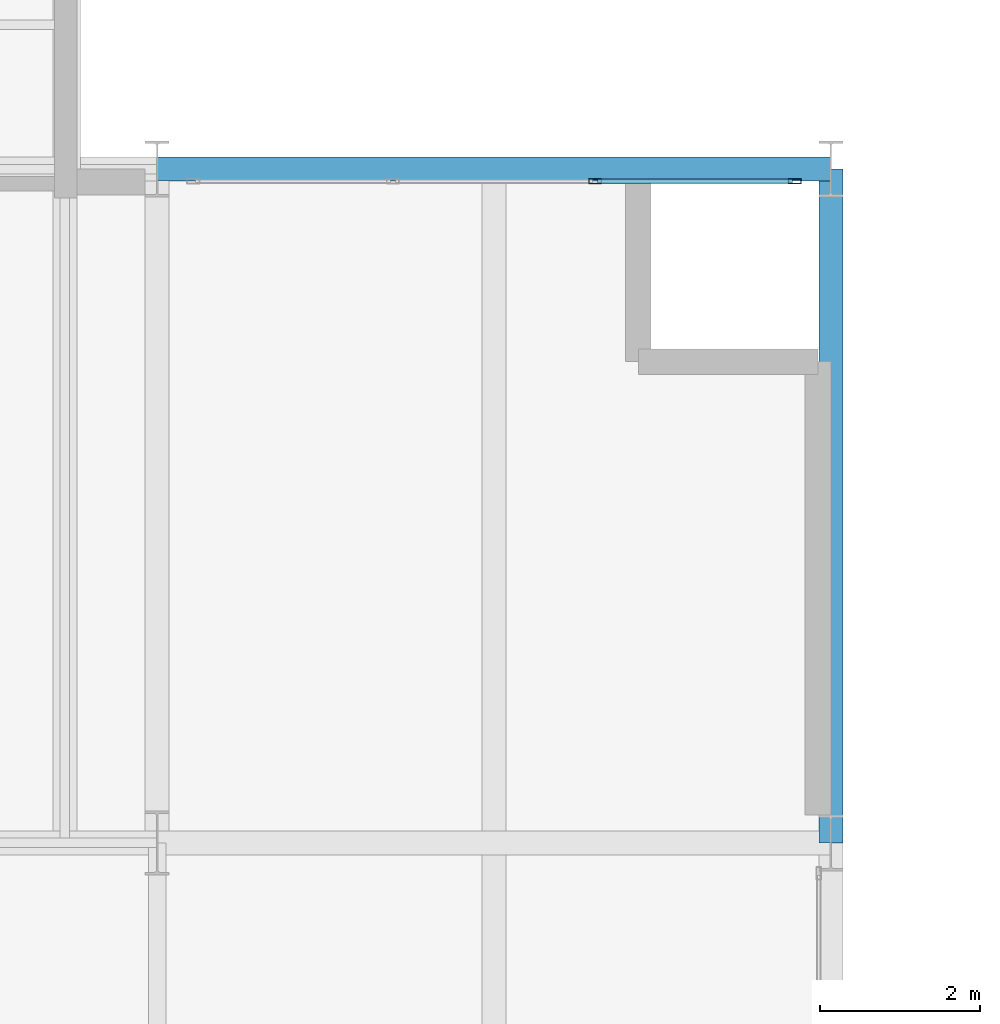
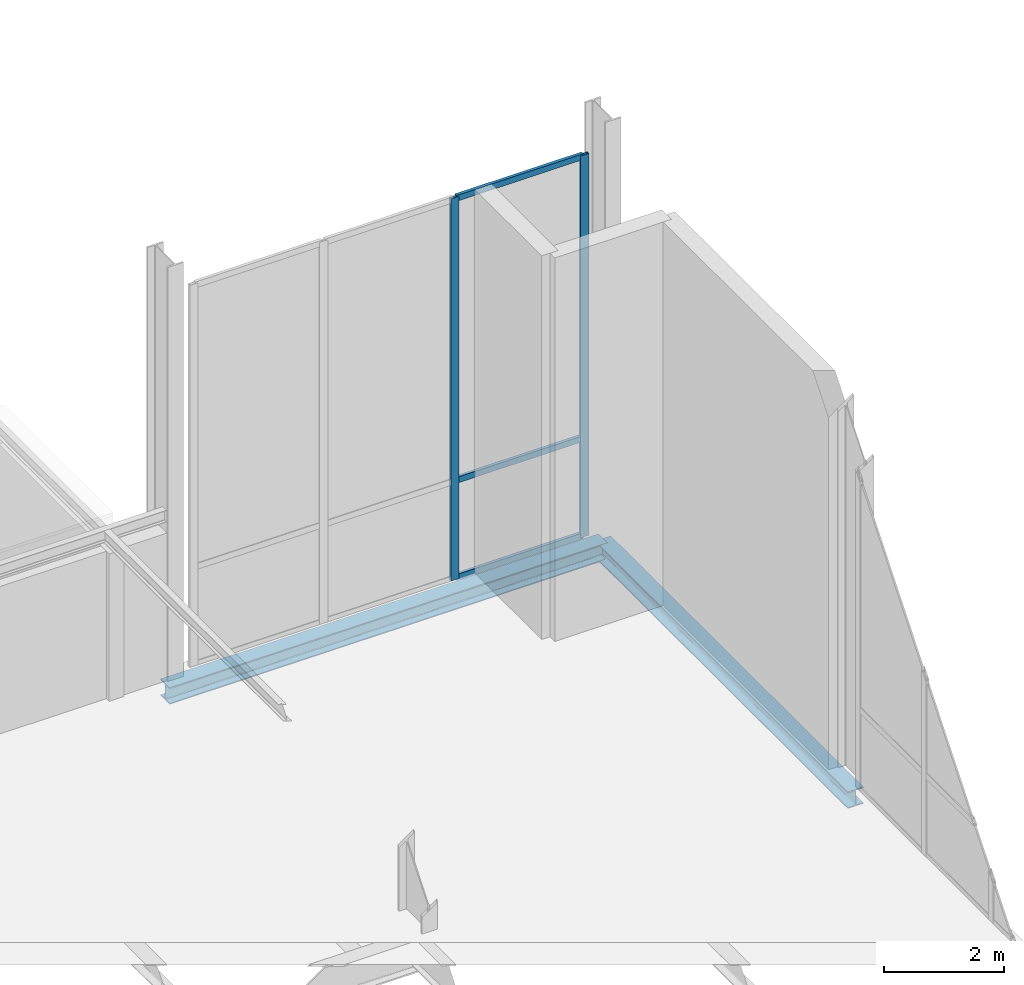
# One storey, part 81 of 131: 5 members, 2 beams, 1 element without a shape of its own.
"""IFC4 building model written with IfcOpenShell, lengths in metres."""

from ifc_helpers import new_model, si_unit, direction, frame, origin, origin_2d, place, context, subcontext, project, spatial, hollow_rectangle, i_section, extrude, material, material_profile, profile_set, type_object, element, aggregate, save


model = new_model("IFC4")

# Units and contexts
model_context = context("Model", 3, precision=1e-05, world=origin(), true_north=direction((0.0, 1.0)))
body_context = subcontext(model_context, "Body", "Model", "MODEL_VIEW")
ifc_project = project(units=[si_unit("LENGTHUNIT", "METRE"), si_unit("AREAUNIT", "SQUARE_METRE"), si_unit("VOLUMEUNIT", "CUBIC_METRE"), si_unit("PLANEANGLEUNIT", "RADIAN"), si_unit("MASSUNIT", "GRAM", prefix="KILO")], contexts=[model_context])

# Site, building, storey
site_placement = place(None, origin())
site = spatial("IfcSite", under=ifc_project, at=site_placement, CompositionType="ELEMENT")
building_placement = place(site_placement, origin())
building = spatial("IfcBuilding", under=site, at=building_placement, Name="Veltarok Museum of Natural Sciences", CompositionType="ELEMENT")
storey_placement = place(building_placement, origin())
storey = spatial("IfcBuildingStorey", under=building, at=storey_placement, Name="L00", CompositionType="ELEMENT", Elevation=0.0)

# Curtain wall, members
ifc_material_1 = material(Name="Low-iron triple insulated glass", Category="glass")
curtain_wall_type = type_object("IfcCurtainWallType", Name="Curtain Wall System CW-V2NP-L00-9-756x775 (North Pavilion L00 9-10 756x775cm)", PredefinedType="NOTDEFINED", material=ifc_material_1)
curtain_wall_placement = place(storey_placement, origin())
curtain_wall = element("IfcCurtainWall", 1, at=curtain_wall_placement, inside=storey, type_object=curtain_wall_type, Name="Curtain Wall CW-V2NP-L00-9-756x775 CW-0068", PredefinedType="NOTDEFINED")
ifc_material_2 = material(Name="Thermally broken anodised aluminium", Category="aluminium")
ifc_material_profile_1 = material_profile(ifc_material_2, hollow_rectangle(XDim=0.06005859375, YDim=0.1201171875, WallThickness=0.0048828125, at=origin_2d()), Name="CW TRANSOM 60x120x5")
ifc_profile_set_1 = profile_set([ifc_material_profile_1], Name="Thermally broken anodised aluminium")
member_type_1 = type_object("IfcMemberType", Name="Curtain Wall Horizontal Transom 60x120x5", PredefinedType="USERDEFINED", material=ifc_profile_set_1)
member_1_placement = place(storey_placement, frame((81.52001953125, 109.050048828125, 0.030029296875), z_axis=(-1.0, 0.0, 0.0), x_axis=(0.0, -1.0, 0.0)))
member_1 = element("IfcMember", 2, at=member_1_placement, type_object=member_type_1, Name="CW-V2NP-L00-9-756x775 transom 1.1", ObjectType="TRANSOM", PredefinedType="USERDEFINED", context=body_context, shape_type="SweptSolid", body=[
    extrude(hollow_rectangle(XDim=0.06005859375, YDim=0.1201171875, WallThickness=0.0048828125, at=origin_2d()), origin(), (0.0, 0.0, 1.0), 2.429931640625),
])
member_2_placement = place(storey_placement, frame((81.52001953125, 109.050048828125, 2.0), z_axis=(-1.0, 0.0, 0.0), x_axis=(0.0, -1.0, 0.0)))
member_2 = element("IfcMember", 3, at=member_2_placement, type_object=member_type_1, Name="CW-V2NP-L00-9-756x775 transom 1.2", ObjectType="TRANSOM", PredefinedType="USERDEFINED", context=body_context, shape_type="SweptSolid", body=[
    extrude(hollow_rectangle(XDim=0.06005859375, YDim=0.1201171875, WallThickness=0.0048828125, at=origin_2d()), origin(), (0.0, 0.0, 1.0), 2.429931640625),
])
member_3_placement = place(storey_placement, frame((81.52001953125, 109.050048828125, 7.719970703125), z_axis=(-1.0, 0.0, 0.0), x_axis=(0.0, -1.0, 0.0)))
member_3 = element("IfcMember", 4, at=member_3_placement, type_object=member_type_1, Name="CW-V2NP-L00-9-756x775 transom 1.3", ObjectType="TRANSOM", PredefinedType="USERDEFINED", context=body_context, shape_type="SweptSolid", body=[
    extrude(hollow_rectangle(XDim=0.06005859375, YDim=0.1201171875, WallThickness=0.0048828125, at=origin_2d()), origin(), (0.0, 0.0, 1.0), 2.429931640625),
])
ifc_material_profile_2 = material_profile(ifc_material_2, hollow_rectangle(XDim=0.06005859375, YDim=0.159912109375, WallThickness=0.0048828125, at=origin_2d()), Name="CW MULLION 60x160x5")
ifc_profile_set_2 = profile_set([ifc_material_profile_2], Name="Thermally broken anodised aluminium")
member_type_2 = type_object("IfcMemberType", Name="Curtain Wall Vertical Mullion 60x160x5", PredefinedType="MULLION", material=ifc_profile_set_2)
member_4_placement = place(storey_placement, frame((81.550048828125, 109.050048828125, 0.0), z_axis=(0.0, 0.0, 1.0), x_axis=(0.0, -1.0, 0.0)))
member_4 = element("IfcMember", 5, at=member_4_placement, type_object=member_type_2, Name="CW-V2NP-L00-9-756x775 mullion 1", PredefinedType="MULLION", context=body_context, shape_type="SweptSolid", body=[
    extrude(hollow_rectangle(XDim=0.06005859375, YDim=0.159912109375, WallThickness=0.0048828125, at=origin_2d()), origin(), (0.0, 0.0, 1.0), 7.75),
])
member_5_placement = place(storey_placement, frame((79.06005859375, 109.050048828125, 0.0), z_axis=(0.0, 0.0, 1.0), x_axis=(0.0, -1.0, 0.0)))
member_5 = element("IfcMember", 6, at=member_5_placement, type_object=member_type_2, Name="CW-V2NP-L00-9-756x775 mullion 2", PredefinedType="MULLION", context=body_context, shape_type="SweptSolid", body=[
    extrude(hollow_rectangle(XDim=0.06005859375, YDim=0.159912109375, WallThickness=0.0048828125, at=origin_2d()), origin(), (0.0, 0.0, 1.0), 7.75),
])
aggregate(curtain_wall, [member_4, member_5, member_1, member_2, member_3])

# Beams
ifc_material_3 = material(Name="Steel S355J2", Category="steel")
ifc_material_profile_3 = material_profile(ifc_material_3, i_section(OverallWidth=0.300048828125, OverallDepth=0.340087890625, WebThickness=0.011962890625, FlangeThickness=0.021484375, FilletRadius=0.027099609375, at=origin_2d()), Name="HEB 340")
ifc_profile_set_3 = profile_set([ifc_material_profile_3], Name="Steel S355J2")
beam_type = type_object("IfcBeamType", Name="Perimeter Bridge Spandrel HEB 340", PredefinedType="SPANDREL", material=ifc_profile_set_3)
for number, where, z_axis, x_axis, name in (
    (7, (73.60009765625, 109.199951171875, -0.469970703125), (1.0, 0.0, 0.0), (0.0, 1.0, 0.0), "Beam BM-SP07 L00 9-10/M"),
    (8, (82.0, 100.800048828125, -0.469970703125), (0.0, 1.0, 0.0), (-1.0, 0.0, 0.0), "Beam BM-SP07 L00 10/L-M"),
):
    element("IfcBeam", number, at=place(storey_placement, frame(where, z_axis=z_axis, x_axis=x_axis)), inside=storey, type_object=beam_type, Name=name, PredefinedType="SPANDREL", context=body_context, shape_type="SweptSolid", body=[
        extrude(i_section(OverallWidth=0.300048828125, OverallDepth=0.340087890625, WebThickness=0.011962890625, FlangeThickness=0.021484375, FilletRadius=0.027099609375, at=origin_2d()), origin(), (0.0, 0.0, 1.0), 8.39990234375),
    ])

save(model, "model.ifc")
